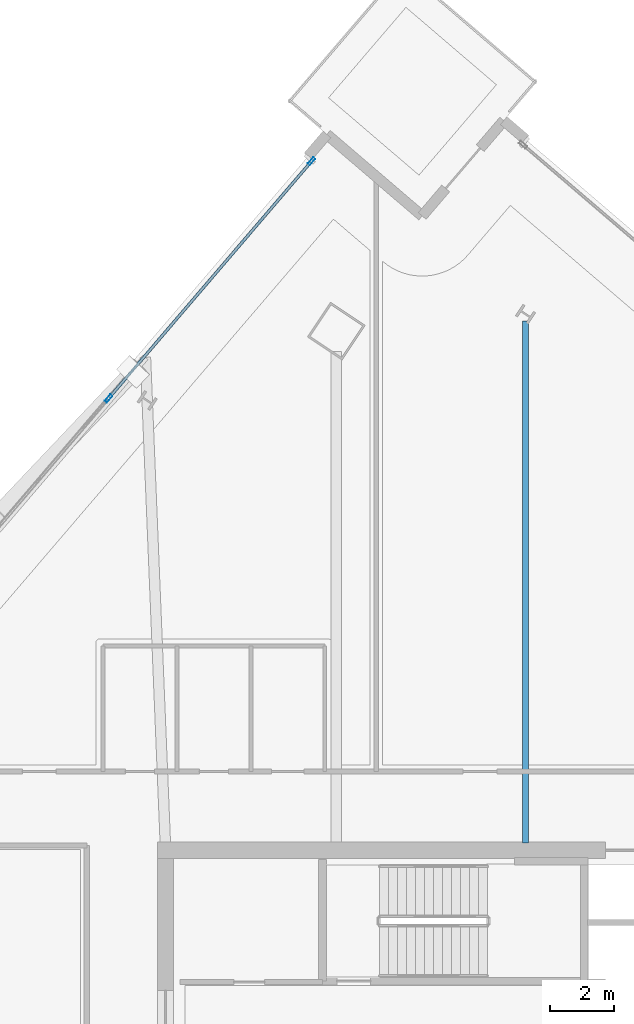
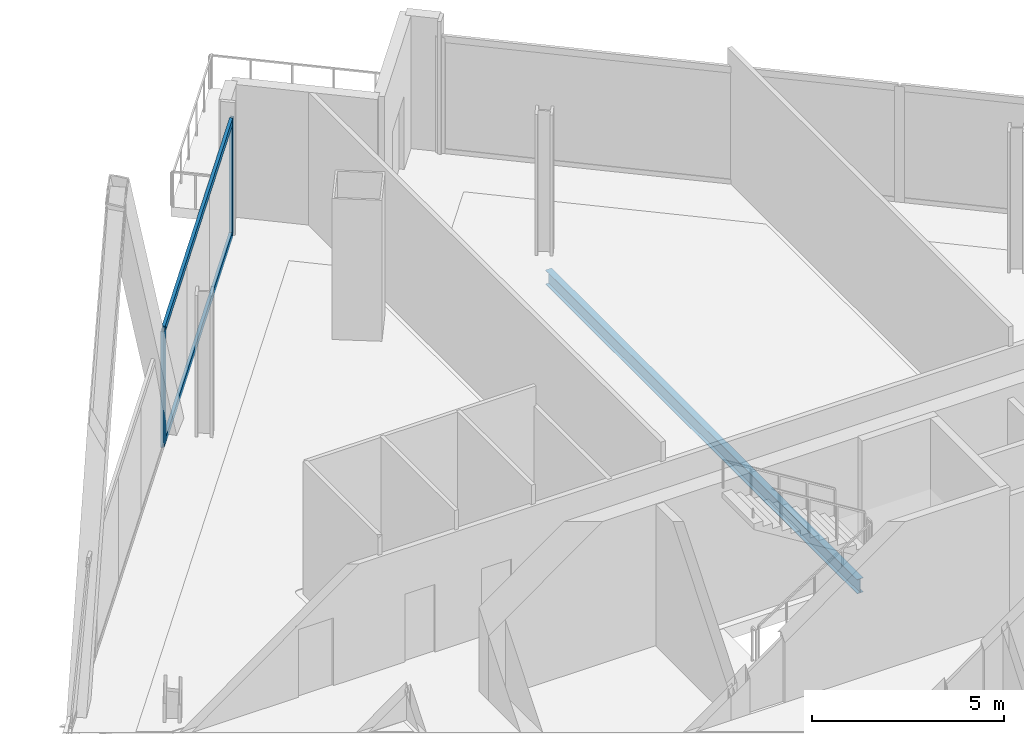
# One storey, part 13 of 26: 4 members, 1 beam, 1 element without a shape of its own.
"""IFC4 building model written with IfcOpenShell, lengths in metres."""

from ifc_helpers import new_model, si_unit, direction, frame, origin, origin_2d, place, context, subcontext, project, spatial, hollow_rectangle, i_section, extrude, material, material_profile, profile_set, type_object, element, aggregate, save


model = new_model("IFC4")

# Units and contexts
model_context = context("Model", 3, precision=1e-05, world=origin(), true_north=direction((0.0, 1.0)))
body_context = subcontext(model_context, "Body", "Model", "MODEL_VIEW")
ifc_project = project(units=[si_unit("LENGTHUNIT", "METRE"), si_unit("AREAUNIT", "SQUARE_METRE"), si_unit("VOLUMEUNIT", "CUBIC_METRE"), si_unit("PLANEANGLEUNIT", "RADIAN"), si_unit("MASSUNIT", "GRAM", prefix="KILO")], contexts=[model_context])

# Site, building, storey
site_placement = place(None, origin())
site = spatial("IfcSite", under=ifc_project, at=site_placement, CompositionType="ELEMENT")
building_placement = place(site_placement, origin())
building = spatial("IfcBuilding", under=site, at=building_placement, Name="Haldenkirk Collegiate Tower", CompositionType="ELEMENT")
storey_placement = place(building_placement, frame((0.0, 0.0, 193.949951171875)))
storey = spatial("IfcBuildingStorey", under=building, at=storey_placement, Name="L48", CompositionType="ELEMENT", Elevation=193.949951171875)

# Beam
ifc_material_1 = material(Name="Steel ASTM A992 Grade 50", Category="steel")
ifc_material_profile_1 = material_profile(ifc_material_1, i_section(OverallWidth=0.18994140625, OverallDepth=0.45703125, WebThickness=0.009033203125, FlangeThickness=0.014404296875, at=origin_2d()), Name="W18X50")
ifc_profile_set_1 = profile_set([ifc_material_profile_1], Name="Steel ASTM A992 Grade 50")
beam_type = type_object("IfcBeamType", Name="BM-JOIST-W18X50", PredefinedType="JOIST", material=ifc_profile_set_1)
beam_placement = place(storey_placement, frame((38.192626953125, 50.451416015625, -0.638427734375), z_axis=(0.0, -1.0, 0.0), x_axis=(1.0, 0.0, 0.0)))
element("IfcBeam", 1, at=beam_placement, inside=storey, type_object=beam_type, Name="L48 composite floor joist 10", PredefinedType="JOIST", context=body_context, shape_type="SweptSolid", body=[
    extrude(i_section(OverallWidth=0.18994140625, OverallDepth=0.45703125, WebThickness=0.009033203125, FlangeThickness=0.014404296875, at=origin_2d()), origin(), (0.0, 0.0, 1.0), 16.221435546875),
])

# Curtain wall, members
ifc_material_2 = material(Name="Anodised architectural bronze aluminium", Category="aluminium")
curtain_wall_type = type_object("IfcCurtainWallType", Name="CW-SYS4-SKYGARDEN", PredefinedType="USERDEFINED", material=ifc_material_2)
curtain_wall_placement = place(storey_placement, origin())
curtain_wall = element("IfcCurtainWall", 2, at=curtain_wall_placement, inside=storey, type_object=curtain_wall_type, Name="L48 Sky-garden tall bronze curtain wall", ObjectType="UNITISED CURTAIN WALL", PredefinedType="USERDEFINED")
ifc_material_profile_2 = material_profile(ifc_material_2, hollow_rectangle(XDim=0.090087890625, YDim=0.260009765625, WallThickness=0.0048828125, at=origin_2d()), Name="CW-MUL-04")
ifc_profile_set_2 = profile_set([ifc_material_profile_2], Name="Anodised architectural bronze aluminium")
member_type_1 = type_object("IfcMemberType", Name="CW-MUL-04", PredefinedType="MULLION", material=ifc_profile_set_2)
member_1_placement = place(storey_placement, frame((25.22705078125, 48.048828125, 0.0), z_axis=(0.0, 0.0, 1.0), x_axis=(-0.759838201075, 0.650112227379, 0.0)))
member_1 = element("IfcMember", 3, at=member_1_placement, type_object=member_type_1, Name="CW-04 mullion 4", PredefinedType="MULLION", context=body_context, shape_type="SweptSolid", body=[
    extrude(hollow_rectangle(XDim=0.090087890625, YDim=0.260009765625, WallThickness=0.0048828125, at=origin_2d()), origin(), (0.0, 0.0, 1.0), 3.677978515625),
])
member_2_placement = place(storey_placement, frame((31.536376953125, 55.423095703125, 0.0), z_axis=(0.0, 0.0, 1.0), x_axis=(-0.759838201075, 0.650112227379, 0.0)))
member_2 = element("IfcMember", 4, at=member_2_placement, type_object=member_type_1, Name="CW-04 mullion 5", PredefinedType="MULLION", context=body_context, shape_type="SweptSolid", body=[
    extrude(hollow_rectangle(XDim=0.090087890625, YDim=0.260009765625, WallThickness=0.0048828125, at=origin_2d()), origin(), (0.0, 0.0, 1.0), 3.677978515625),
])
ifc_material_profile_3 = material_profile(ifc_material_2, hollow_rectangle(XDim=0.090087890625, YDim=0.2099609375, WallThickness=0.0048828125, at=origin_2d()), Name="CW-TRN-04")
ifc_profile_set_3 = profile_set([ifc_material_profile_3], Name="Anodised architectural bronze aluminium")
member_type_2 = type_object("IfcMemberType", Name="CW-TRN-04", PredefinedType="USERDEFINED", material=ifc_profile_set_3)
member_3_placement = place(storey_placement, frame((25.25634765625, 48.0830078125, 0.045166015625), z_axis=(0.650103141177, 0.759845975071, 0.0), x_axis=(-0.759845975071, 0.650103141177, 0.0)))
member_3 = element("IfcMember", 5, at=member_3_placement, type_object=member_type_2, Name="CW-04 transom 4.1", ObjectType="TRANSOM", PredefinedType="USERDEFINED", context=body_context, shape_type="SweptSolid", body=[
    extrude(hollow_rectangle(XDim=0.090087890625, YDim=0.2099609375, WallThickness=0.0048828125, at=origin_2d()), origin(), (0.0, 0.0, 1.0), 9.614990234375),
])
member_4_placement = place(storey_placement, frame((25.25634765625, 48.0830078125, 3.633056640625), z_axis=(0.650103141177, 0.759845975071, 0.0), x_axis=(-0.759845975071, 0.650103141177, 0.0)))
member_4 = element("IfcMember", 6, at=member_4_placement, type_object=member_type_2, Name="CW-04 transom 4.2", ObjectType="TRANSOM", PredefinedType="USERDEFINED", context=body_context, shape_type="SweptSolid", body=[
    extrude(hollow_rectangle(XDim=0.090087890625, YDim=0.2099609375, WallThickness=0.0048828125, at=origin_2d()), origin(), (0.0, 0.0, 1.0), 9.614990234375),
])
aggregate(curtain_wall, [member_1, member_2, member_3, member_4])

save(model, "model.ifc")
